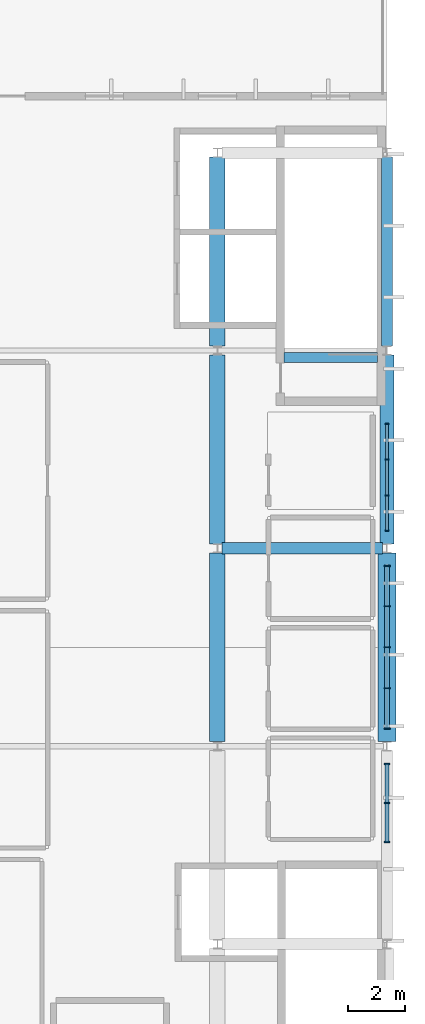
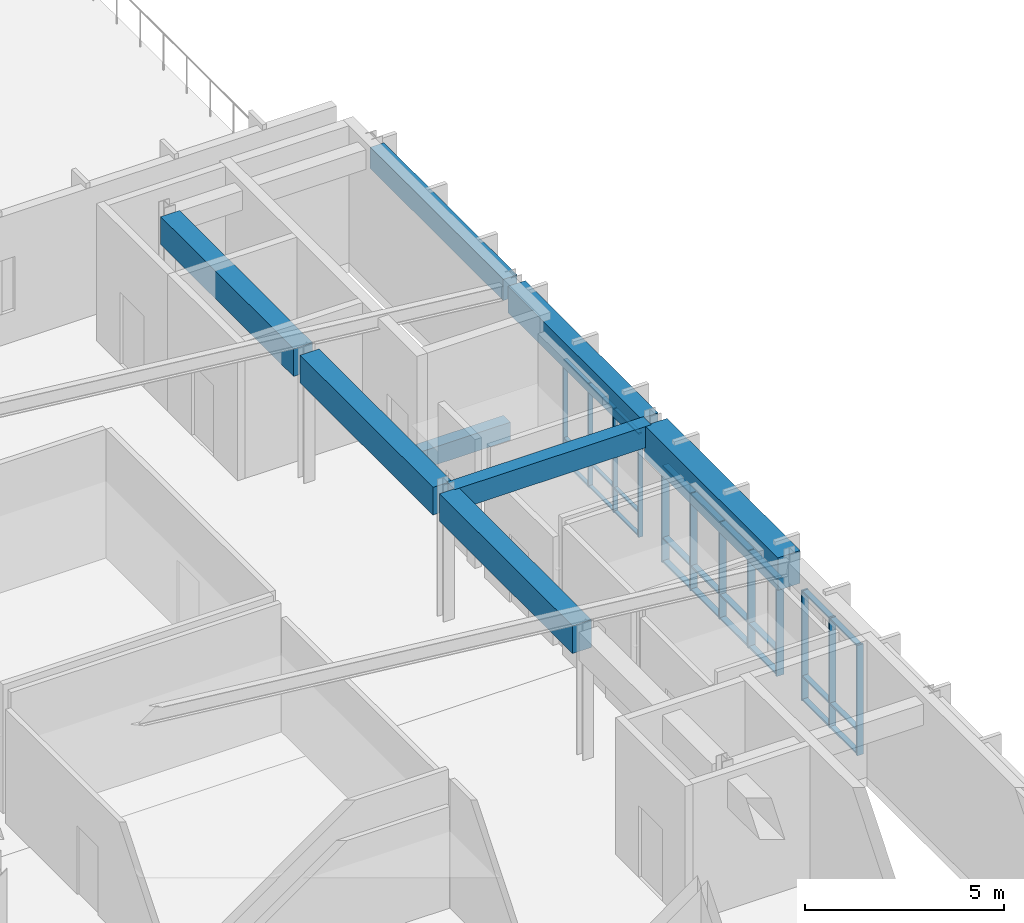
# One storey, part 9 of 16: 39 members, 8 beams, 3 elements without a shape of their own.
"""IFC4 building model written with IfcOpenShell, lengths in metres."""

import ifcopenshell
import ifcopenshell.guid

model = None  # the IFC model being written
_history = None  # IfcOwnerHistory: only IFC2X3 demands one
_inside = {}  # id of a spatial element -> (the spatial element, [elements in it])
_under = {}  # id of a project, library or spatial element -> (it, [spatial elements below it])
_declared = {}  # id of a project -> (the project, [libraries it declares])
_typed = {}  # id of a type object -> (the type object, [elements of that type])
_made_of = {}  # id of a material, layer set ... -> (it, [elements and type objects made of it])


def new_model(schema):
    """Start an empty IFC model of exactly this schema.

    Asked for "IFC4X3", IfcOpenShell would pick the latest addendum, in which some entities
    have other attributes; the version numbers below select the first issue.
    IFC2X3 requires an IfcOwnerHistory on every rooted entity: one is made here for all.
    """
    global model, _history
    if schema == "IFC4X3":
        model = ifcopenshell.file(schema_version=(4, 3, 0, 0))
    else:
        model = ifcopenshell.file(schema=schema)
    _inside.clear()
    _under.clear()
    _declared.clear()
    _typed.clear()
    _made_of.clear()
    _history = None
    if model.schema == "IFC2X3":
        org = make("IfcOrganization", Name="unknown")
        user = make(
            "IfcPersonAndOrganization",
            ThePerson=make("IfcPerson", FamilyName="unknown"),
            TheOrganization=org,
        )
        app = make(
            "IfcApplication",
            ApplicationDeveloper=org,
            Version="unknown",
            ApplicationFullName="unknown",
            ApplicationIdentifier="unknown",
        )
        _history = make(
            "IfcOwnerHistory",
            OwningUser=user,
            OwningApplication=app,
            ChangeAction="ADDED",
            CreationDate=0,
        )
    return model


def make(cls, **values):
    """One entity of the class cls with the attributes given. An attribute that is None is left unset."""
    return model.create_entity(
        cls, **{name: value for name, value in values.items() if value is not None}
    )


def rooted(cls, **values):
    """An entity with a GlobalId (a new one), such as an element, a storey or a relation."""
    return make(cls, GlobalId=ifcopenshell.guid.new(), OwnerHistory=_history, **values)


def si_unit(unit_type, name, prefix=None):
    """IfcSIUnit, for example si_unit("LENGTHUNIT", "METRE", prefix="MILLI")."""
    return make("IfcSIUnit", UnitType=unit_type, Prefix=prefix, Name=name)


def assignment(units):
    """IfcUnitAssignment: the units of a project."""
    return None if units is None else make("IfcUnitAssignment", Units=units)


def point(xyz):
    """IfcCartesianPoint."""
    return None if xyz is None else make("IfcCartesianPoint", Coordinates=xyz)


def direction(xyz):
    """IfcDirection."""
    return None if xyz is None else make("IfcDirection", DirectionRatios=xyz)


def frame(location, z_axis=None, x_axis=None):
    """IfcAxis2Placement3D, a coordinate frame: its origin and axes. An axis left out is left unset."""
    return make(
        "IfcAxis2Placement3D",
        Location=point(location),
        Axis=direction(z_axis),
        RefDirection=direction(x_axis),
    )


def frame_2d(location, x_axis=None):
    """IfcAxis2Placement2D, a coordinate frame in the plane: its origin and x axis."""
    return make(
        "IfcAxis2Placement2D", Location=point(location), RefDirection=direction(x_axis)
    )


def origin():
    """The frame at (0, 0, 0) with its axes left unset."""
    return frame((0.0, 0.0, 0.0))


def origin_2d():
    """The frame at (0, 0) in the plane with its x axis left unset."""
    return frame_2d((0.0, 0.0))


def place(relative_to, where):
    """IfcLocalPlacement: puts the frame where relative to a parent placement (None: the world)."""
    return make(
        "IfcLocalPlacement", PlacementRelTo=relative_to, RelativePlacement=where
    )


def context(
    kind, dimensions, precision=None, world=None, true_north=None, identifier=None
):
    """IfcGeometricRepresentationContext, for example the 3D "Model" context."""
    return make(
        "IfcGeometricRepresentationContext",
        ContextIdentifier=identifier,
        ContextType=kind,
        CoordinateSpaceDimension=dimensions,
        Precision=precision,
        WorldCoordinateSystem=world,
        TrueNorth=true_north,
    )


def subcontext(parent, identifier, kind, view, scale=None):
    """IfcGeometricRepresentationSubContext, for example "Body" below "Model"."""
    return make(
        "IfcGeometricRepresentationSubContext",
        ContextIdentifier=identifier,
        ContextType=kind,
        ParentContext=parent,
        TargetScale=scale,
        TargetView=view,
    )


def project(units=None, contexts=None):
    """IfcProject with its units and contexts."""
    return rooted(
        "IfcProject",
        Name="project",
        RepresentationContexts=contexts,
        UnitsInContext=assignment(units),
    )


def spatial(cls, under=None, at=None, **own):
    """A site, building, storey or space (cls), placed at a placement, below another one or the project."""
    s = rooted(cls, ObjectPlacement=at, **own)
    if under is not None:
        _under.setdefault(under.id(), (under, []))[1].append(s)
    return s


def profile(cls, at=None, kind="AREA", **sizes):
    """A parametric profile (cls). Its sizes go by their IFC names, for example OverallWidth=200.0."""
    return make(cls, ProfileType=kind, Position=at, **sizes)


def rectangle(**sizes):
    """IfcRectangleProfileDef."""
    return profile("IfcRectangleProfileDef", **sizes)


def extrude(swept, where, along, depth):
    """IfcExtrudedAreaSolid: the profile swept, set in the frame where, extruded along a direction by depth."""
    return make(
        "IfcExtrudedAreaSolid",
        SweptArea=swept,
        Position=where,
        ExtrudedDirection=direction(along),
        Depth=depth,
    )


def shape(context_of_items, identifier, shape_type, items):
    """IfcShapeRepresentation: the items that make up one representation, for example the "Body"."""
    return make(
        "IfcShapeRepresentation",
        ContextOfItems=context_of_items,
        RepresentationIdentifier=identifier,
        RepresentationType=shape_type,
        Items=items,
    )


def material(Name=None, Category=None):
    """IfcMaterial."""
    return make("IfcMaterial", Name=Name, Category=Category)


def material_profile(
    of_material, cross_section, Name=None, Category=None, Priority=None
):
    """IfcMaterialProfile: a cross section and its material."""
    return make(
        "IfcMaterialProfile",
        Name=Name,
        Material=of_material,
        Profile=cross_section,
        Priority=Priority,
        Category=Category,
    )


def profile_set(profiles, Name=None, composite=None):
    """IfcMaterialProfileSet."""
    return make(
        "IfcMaterialProfileSet",
        Name=Name,
        MaterialProfiles=profiles,
        CompositeProfile=composite,
    )


def made_of(thing, what):
    """Note that an element or type object is made of a material, layer set ...; save() writes the relation."""
    if what is not None:
        _made_of.setdefault(what.id(), (what, []))[1].append(thing)
    return thing


def type_object(cls, material=None, **own):
    """A type object (cls), such as IfcWallType, which elements share."""
    return made_of(rooted(cls, **own), material)


def element(
    cls,
    number,
    at=None,
    inside=None,
    cuts=None,
    type_object=None,
    material=None,
    context=None,
    identifier="Body",
    shape_type=None,
    held_by="IfcProductDefinitionShape",
    body=None,
    shapes=None,
    **own,
):
    """One element of the class cls, such as IfcWall. Its Tag is "e" and its number.

    at: its placement. inside: the storey or other place that contains it. cuts: it is an
    opening in that element (IfcRelVoidsElement). A single representation is given by context,
    identifier, shape_type and body (its items); several are given by shapes. held_by: the class
    of the entity that holds the representations. save() writes the other relations.
    """
    e = rooted(cls, Tag="e%d" % number, ObjectPlacement=at, **own)
    if body is not None:
        shapes = [shape(context, identifier, shape_type, body)]
    if shapes is not None:
        e.Representation = make(held_by, Representations=shapes)
    if inside is not None:
        _inside.setdefault(inside.id(), (inside, []))[1].append(e)
    if cuts is not None:
        rooted(
            "IfcRelVoidsElement", RelatingBuildingElement=cuts, RelatedOpeningElement=e
        )
    if type_object is not None:
        _typed.setdefault(type_object.id(), (type_object, []))[1].append(e)
    return made_of(e, material)


def aggregate(whole, parts):
    """IfcRelAggregates: a whole, such as a stair, and the parts it consists of."""
    return rooted("IfcRelAggregates", RelatingObject=whole, RelatedObjects=parts)


def save(model, path):
    """Write the relations noted so far, then the file.

    IfcRelAggregates (storeys below a building ...), IfcRelContainedInSpatialStructure (elements
    in a storey), IfcRelDefinesByType, IfcRelAssociatesMaterial and IfcRelDeclares: one each for
    every whole, place, type object, material and project.
    """
    for whole, parts in _under.values():
        aggregate(whole, parts)
    for where, things in _inside.values():
        rooted(
            "IfcRelContainedInSpatialStructure",
            RelatedElements=things,
            RelatingStructure=where,
        )
    for kind, things in _typed.values():
        rooted("IfcRelDefinesByType", RelatedObjects=things, RelatingType=kind)
    for what, things in _made_of.values():
        rooted("IfcRelAssociatesMaterial", RelatedObjects=things, RelatingMaterial=what)
    for by, libraries in _declared.values():
        rooted("IfcRelDeclares", RelatingContext=by, RelatedDefinitions=libraries)
    model.write(path)


model = new_model("IFC4")

# Units and contexts
model_context = context("Model", 3, precision=1e-05, world=origin(), true_north=direction((0.0, 1.0)))
body_context = subcontext(model_context, "Body", "Model", "MODEL_VIEW")
ifc_project = project(units=[si_unit("LENGTHUNIT", "METRE"), si_unit("AREAUNIT", "SQUARE_METRE"), si_unit("VOLUMEUNIT", "CUBIC_METRE"), si_unit("PLANEANGLEUNIT", "RADIAN"), si_unit("MASSUNIT", "GRAM", prefix="KILO")], contexts=[model_context])

# Site, building, storey
site_placement = place(None, origin())
site = spatial("IfcSite", under=ifc_project, at=site_placement, CompositionType="ELEMENT")
building_placement = place(site_placement, origin())
building = spatial("IfcBuilding", under=site, at=building_placement, Name="Larkveld Mobility Hub", CompositionType="ELEMENT")
storey_placement = place(building_placement, frame((0.0, 0.0, 22.800048828125)))
storey = spatial("IfcBuildingStorey", under=building, at=storey_placement, Name="L06", CompositionType="ELEMENT", Elevation=22.800048828125)

# Beams
ifc_material_1 = material(Name="Concrete C40/50", Category="concrete")
ifc_material_profile_1 = material_profile(ifc_material_1, rectangle(XDim=0.35009765625, YDim=0.550048828125, at=origin_2d()), Name="RC BM 350x550")
ifc_profile_set_1 = profile_set([ifc_material_profile_1], Name="Concrete C40/50")
beam_type_1 = type_object("IfcBeamType", Name="BM-RC3555", PredefinedType="BEAM", material=ifc_profile_set_1)
beam_1_placement = place(storey_placement, frame((148.360107421875, 55.75, -0.27001953125), z_axis=(1.0, 0.0, 0.0), x_axis=(0.0, 1.0, 0.0)))
element("IfcBeam", 1, at=beam_1_placement, inside=storey, type_object=beam_type_1, Name="Core C2 Stair Header Beam L06", PredefinedType="BEAM", context=body_context, shape_type="SweptSolid", body=[
    extrude(rectangle(XDim=0.35009765625, YDim=0.550048828125, at=origin_2d()), origin(), (0.0, 0.0, 1.0), 3.309814453125),
])
ifc_material_profile_2 = material_profile(ifc_material_1, rectangle(XDim=0.39990234375, YDim=0.64990234375, at=origin_2d()), Name="RC BM 400x650")
ifc_profile_set_2 = profile_set([ifc_material_profile_2], Name="Concrete C40/50")
beam_type_2 = type_object("IfcBeamType", Name="BM-RC4065", PredefinedType="BEAM", material=ifc_profile_set_2)
beam_2_placement = place(storey_placement, frame((146.155029296875, 49.0, 3.655029296875), z_axis=(1.0, 0.0, 0.0), x_axis=(0.0, 1.0, 0.0)))
element("IfcBeam", 2, at=beam_2_placement, inside=storey, type_object=beam_type_2, Name="Primary E-W Girder L06-0994", PredefinedType="BEAM", context=body_context, shape_type="SweptSolid", body=[
    extrude(rectangle(XDim=0.39990234375, YDim=0.64990234375, at=origin_2d()), origin(), (0.0, 0.0, 1.0), 5.68994140625),
])
beam_3_placement = place(storey_placement, frame((152.0, 56.159912109375, 3.655029296875), z_axis=(0.0, 1.0, 0.0), x_axis=(-1.0, 0.0, 0.0)))
element("IfcBeam", 3, at=beam_3_placement, inside=storey, type_object=beam_type_2, Name="Primary N-S Girder L06-1015", PredefinedType="BEAM", context=body_context, shape_type="SweptSolid", body=[
    extrude(rectangle(XDim=0.39990234375, YDim=0.64990234375, at=origin_2d()), origin(), (0.0, 0.0, 1.0), 6.68017578125),
])
ifc_material_profile_3 = material_profile(ifc_material_1, rectangle(XDim=0.5, YDim=0.800048828125, at=origin_2d()), Name="RC BM 500x800")
ifc_profile_set_3 = profile_set([ifc_material_profile_3], Name="Concrete C40/50")
beam_type_3 = type_object("IfcBeamType", Name="BM-RC5080", PredefinedType="BEAM", material=ifc_profile_set_3)
beam_4_placement = place(storey_placement, frame((152.0, 49.159912109375, 3.579833984375), z_axis=(0.0, 1.0, 0.0), x_axis=(-1.0, 0.0, 0.0)))
element("IfcBeam", 4, at=beam_4_placement, inside=storey, type_object=beam_type_3, Name="Primary N-S Girder L06-1014", PredefinedType="BEAM", context=body_context, shape_type="SweptSolid", body=[
    extrude(rectangle(XDim=0.5, YDim=0.800048828125, at=origin_2d()), origin(), (0.0, 0.0, 1.0), 6.68017578125),
])
ifc_material_profile_4 = material_profile(ifc_material_1, rectangle(XDim=0.550048828125, YDim=0.85009765625, at=origin_2d()), Name="RC BM 550x850")
ifc_profile_set_4 = profile_set([ifc_material_profile_4], Name="Concrete C40/50")
beam_type_4 = type_object("IfcBeamType", Name="BM-RC5585", PredefinedType="BEAM", material=ifc_profile_set_4)
for number, where, z_axis, x_axis, name in (
    (5, (146.0, 42.159912109375, 3.554931640625), (0.0, 1.0, 0.0), (-1.0, 0.0, 0.0), "Primary N-S Girder L06-1008"),
    (6, (146.0, 49.159912109375, 3.554931640625), (0.0, 1.0, 0.0), (-1.0, 0.0, 0.0), "Primary N-S Girder L06-1009"),
    (7, (146.0, 56.159912109375, 3.554931640625), (0.0, 1.0, 0.0), (-1.0, 0.0, 0.0), "Primary N-S Girder L06-1010"),
):
    element("IfcBeam", number, at=place(storey_placement, frame(where, z_axis=z_axis, x_axis=x_axis)), inside=storey, type_object=beam_type_4, Name=name, PredefinedType="BEAM", context=body_context, shape_type="SweptSolid", body=[
        extrude(rectangle(XDim=0.550048828125, YDim=0.85009765625, at=origin_2d()), origin(), (0.0, 0.0, 1.0), 6.68017578125),
    ])
ifc_material_profile_5 = material_profile(ifc_material_1, rectangle(XDim=0.64990234375, YDim=1.0, at=origin_2d()), Name="RC BM 650x1000")
ifc_profile_set_5 = profile_set([ifc_material_profile_5], Name="Concrete C40/50")
beam_type_5 = type_object("IfcBeamType", Name="BM-RC65100", PredefinedType="BEAM", material=ifc_profile_set_5)
beam_5_placement = place(storey_placement, frame((152.0, 42.159912109375, 3.47998046875), z_axis=(0.0, 1.0, 0.0), x_axis=(-1.0, 0.0, 0.0)))
element("IfcBeam", 8, at=beam_5_placement, inside=storey, type_object=beam_type_5, Name="Primary N-S Girder L06-1013", PredefinedType="BEAM", context=body_context, shape_type="SweptSolid", body=[
    extrude(rectangle(XDim=0.64990234375, YDim=1.0, at=origin_2d()), origin(), (0.0, 0.0, 1.0), 6.68017578125),
])

# Curtain wall, members
ifc_material_2 = material(Name="Anodised aluminium 6063-T6", Category="aluminium")
curtain_wall_type_1 = type_object("IfcCurtainWallType", Name="CW-SYS-06", PredefinedType="NOTDEFINED", material=ifc_material_2)
curtain_wall_1_placement = place(storey_placement, origin())
curtain_wall_1 = element("IfcCurtainWall", 9, at=curtain_wall_1_placement, inside=storey, type_object=curtain_wall_type_1, Name="Upper Mobility and Sports East Glazing L06 CW-174", PredefinedType="NOTDEFINED")
ifc_material_profile_6 = material_profile(ifc_material_2, rectangle(XDim=0.050048828125, YDim=0.179931640625, at=origin_2d()), Name="ALU MULL 50x180")
ifc_profile_set_6 = profile_set([ifc_material_profile_6], Name="Anodised aluminium 6063-T6")
member_type_1 = type_object("IfcMemberType", Name="CW-MUL-02", PredefinedType="MULLION", material=ifc_profile_set_6)
member_1_placement = place(storey_placement, frame((152.0, 38.60498046875, -0.001953125), z_axis=(0.0, 0.0, 1.0), x_axis=(0.0, 1.0, 0.0)))
member_1 = element("IfcMember", 10, at=member_1_placement, type_object=member_type_1, Name="CW06 mullion 1", PredefinedType="MULLION", context=body_context, shape_type="SweptSolid", body=[
    extrude(rectangle(XDim=0.050048828125, YDim=0.179931640625, at=origin_2d()), origin(), (0.0, 0.0, 1.0), 3.3818359375),
])
member_2_placement = place(storey_placement, frame((152.0, 39.989990234375, -0.001953125), z_axis=(0.0, 0.0, 1.0), x_axis=(0.0, 1.0, 0.0)))
member_2 = element("IfcMember", 11, at=member_2_placement, type_object=member_type_1, Name="CW06 mullion 2", PredefinedType="MULLION", context=body_context, shape_type="SweptSolid", body=[
    extrude(rectangle(XDim=0.050048828125, YDim=0.179931640625, at=origin_2d()), origin(), (0.0, 0.0, 1.0), 3.3818359375),
])
member_3_placement = place(storey_placement, frame((152.0, 41.375, -0.001953125), z_axis=(0.0, 0.0, 1.0), x_axis=(0.0, 1.0, 0.0)))
member_3 = element("IfcMember", 12, at=member_3_placement, type_object=member_type_1, Name="CW06 mullion 3", PredefinedType="MULLION", context=body_context, shape_type="SweptSolid", body=[
    extrude(rectangle(XDim=0.050048828125, YDim=0.179931640625, at=origin_2d()), origin(), (0.0, 0.0, 1.0), 3.3818359375),
])

curtain_wall_type_2 = type_object("IfcCurtainWallType", Name="CW-SYS-07", PredefinedType="NOTDEFINED", material=ifc_material_2)
curtain_wall_2_placement = place(storey_placement, origin())
curtain_wall_2 = element("IfcCurtainWall", 13, at=curtain_wall_2_placement, inside=storey, type_object=curtain_wall_type_2, Name="Upper Mobility and Sports East Glazing L06 CW-175", PredefinedType="NOTDEFINED")
ifc_material_profile_7 = material_profile(ifc_material_2, rectangle(XDim=0.050048828125, YDim=0.2099609375, at=origin_2d()), Name="ALU MULL 50x210")
ifc_profile_set_7 = profile_set([ifc_material_profile_7], Name="Anodised aluminium 6063-T6")
member_type_2 = type_object("IfcMemberType", Name="CW-MUL-03", PredefinedType="MULLION", material=ifc_profile_set_7)
member_4_placement = place(storey_placement, frame((152.0, 42.625, -0.001953125), z_axis=(0.0, 0.0, 1.0), x_axis=(0.0, 1.0, 0.0)))
member_4 = element("IfcMember", 14, at=member_4_placement, type_object=member_type_2, Name="CW07 mullion 1", PredefinedType="MULLION", context=body_context, shape_type="SweptSolid", body=[
    extrude(rectangle(XDim=0.050048828125, YDim=0.2099609375, at=origin_2d()), origin(), (0.0, 0.0, 1.0), 2.98193359375),
])
member_5_placement = place(storey_placement, frame((152.0, 44.050048828125, -0.001953125), z_axis=(0.0, 0.0, 1.0), x_axis=(0.0, 1.0, 0.0)))
member_5 = element("IfcMember", 15, at=member_5_placement, type_object=member_type_2, Name="CW07 mullion 2", PredefinedType="MULLION", context=body_context, shape_type="SweptSolid", body=[
    extrude(rectangle(XDim=0.050048828125, YDim=0.2099609375, at=origin_2d()), origin(), (0.0, 0.0, 1.0), 2.98193359375),
])
member_6_placement = place(storey_placement, frame((152.0, 45.5, -0.001953125), z_axis=(0.0, 0.0, 1.0), x_axis=(0.0, 1.0, 0.0)))
member_6 = element("IfcMember", 16, at=member_6_placement, type_object=member_type_2, Name="CW07 mullion 3", PredefinedType="MULLION", context=body_context, shape_type="SweptSolid", body=[
    extrude(rectangle(XDim=0.050048828125, YDim=0.2099609375, at=origin_2d()), origin(), (0.0, 0.0, 1.0), 2.98193359375),
])
member_7_placement = place(storey_placement, frame((152.0, 46.949951171875, -0.001953125), z_axis=(0.0, 0.0, 1.0), x_axis=(0.0, 1.0, 0.0)))
member_7 = element("IfcMember", 17, at=member_7_placement, type_object=member_type_2, Name="CW07 mullion 4", PredefinedType="MULLION", context=body_context, shape_type="SweptSolid", body=[
    extrude(rectangle(XDim=0.050048828125, YDim=0.2099609375, at=origin_2d()), origin(), (0.0, 0.0, 1.0), 2.98193359375),
])
member_8_placement = place(storey_placement, frame((152.0, 48.375, -0.001953125), z_axis=(0.0, 0.0, 1.0), x_axis=(0.0, 1.0, 0.0)))
member_8 = element("IfcMember", 18, at=member_8_placement, type_object=member_type_2, Name="CW07 mullion 5", PredefinedType="MULLION", context=body_context, shape_type="SweptSolid", body=[
    extrude(rectangle(XDim=0.050048828125, YDim=0.2099609375, at=origin_2d()), origin(), (0.0, 0.0, 1.0), 2.98193359375),
])

curtain_wall_type_3 = type_object("IfcCurtainWallType", Name="CW-SYS-08", PredefinedType="NOTDEFINED", material=ifc_material_2)
curtain_wall_3_placement = place(storey_placement, origin())
curtain_wall_3 = element("IfcCurtainWall", 19, at=curtain_wall_3_placement, inside=storey, type_object=curtain_wall_type_3, Name="Upper Mobility and Sports East Glazing L06 CW-176", PredefinedType="NOTDEFINED")
ifc_material_profile_8 = material_profile(ifc_material_2, rectangle(XDim=0.050048828125, YDim=0.1298828125, at=origin_2d()), Name="ALU MULL 50x130")
ifc_profile_set_8 = profile_set([ifc_material_profile_8], Name="Anodised aluminium 6063-T6")
member_type_3 = type_object("IfcMemberType", Name="CW-MUL-04", PredefinedType="MULLION", material=ifc_profile_set_8)
member_9_placement = place(storey_placement, frame((152.0, 49.625, -0.001953125), z_axis=(0.0, 0.0, 1.0), x_axis=(0.0, 1.0, 0.0)))
member_9 = element("IfcMember", 20, at=member_9_placement, type_object=member_type_3, Name="CW08 mullion 1", PredefinedType="MULLION", context=body_context, shape_type="SweptSolid", body=[
    extrude(rectangle(XDim=0.050048828125, YDim=0.1298828125, at=origin_2d()), origin(), (0.0, 0.0, 1.0), 3.181884765625),
])
member_10_placement = place(storey_placement, frame((152.0, 50.873046875, -0.001953125), z_axis=(0.0, 0.0, 1.0), x_axis=(0.0, 1.0, 0.0)))
member_10 = element("IfcMember", 21, at=member_10_placement, type_object=member_type_3, Name="CW08 mullion 2", PredefinedType="MULLION", context=body_context, shape_type="SweptSolid", body=[
    extrude(rectangle(XDim=0.050048828125, YDim=0.1298828125, at=origin_2d()), origin(), (0.0, 0.0, 1.0), 3.181884765625),
])
member_11_placement = place(storey_placement, frame((152.0, 52.14697265625, -0.001953125), z_axis=(0.0, 0.0, 1.0), x_axis=(0.0, 1.0, 0.0)))
member_11 = element("IfcMember", 22, at=member_11_placement, type_object=member_type_3, Name="CW08 mullion 3", PredefinedType="MULLION", context=body_context, shape_type="SweptSolid", body=[
    extrude(rectangle(XDim=0.050048828125, YDim=0.1298828125, at=origin_2d()), origin(), (0.0, 0.0, 1.0), 3.181884765625),
])
member_12_placement = place(storey_placement, frame((152.0, 53.39501953125, -0.001953125), z_axis=(0.0, 0.0, 1.0), x_axis=(0.0, 1.0, 0.0)))
member_12 = element("IfcMember", 23, at=member_12_placement, type_object=member_type_3, Name="CW08 mullion 4", PredefinedType="MULLION", context=body_context, shape_type="SweptSolid", body=[
    extrude(rectangle(XDim=0.050048828125, YDim=0.1298828125, at=origin_2d()), origin(), (0.0, 0.0, 1.0), 3.181884765625),
])

# Member
ifc_material_profile_9 = material_profile(ifc_material_2, rectangle(XDim=0.14990234375, YDim=0.050048828125, at=origin_2d()), Name="ALU TRAN 50x150")
ifc_profile_set_9 = profile_set([ifc_material_profile_9], Name="Anodised aluminium 6063-T6")
member_type_4 = type_object("IfcMemberType", Name="CW-TRN-02", PredefinedType="USERDEFINED", material=ifc_profile_set_9)
member_13_placement = place(storey_placement, frame((152.0, 38.614990234375, 0.030029296875), z_axis=(0.0, 1.0, 0.0), x_axis=(-1.0, 0.0, 0.0)))
member_13 = element("IfcMember", 24, at=member_13_placement, type_object=member_type_4, Name="CW06 transom 1.1", ObjectType="TRANSOM", PredefinedType="USERDEFINED", context=body_context, shape_type="SweptSolid", body=[
    extrude(rectangle(XDim=0.14990234375, YDim=0.050048828125, at=origin_2d()), origin(), (0.0, 0.0, 1.0), 1.360107421875),
])

member_14_placement = place(storey_placement, frame((152.0, 38.614990234375, 0.75), z_axis=(0.0, 1.0, 0.0), x_axis=(-1.0, 0.0, 0.0)))
member_14 = element("IfcMember", 25, at=member_14_placement, type_object=member_type_4, Name="CW06 transom 1.2", ObjectType="TRANSOM", PredefinedType="USERDEFINED", context=body_context, shape_type="SweptSolid", body=[
    extrude(rectangle(XDim=0.14990234375, YDim=0.050048828125, at=origin_2d()), origin(), (0.0, 0.0, 1.0), 1.360107421875),
])

member_15_placement = place(storey_placement, frame((152.0, 38.614990234375, 3.347900390625), z_axis=(0.0, 1.0, 0.0), x_axis=(-1.0, 0.0, 0.0)))
member_15 = element("IfcMember", 26, at=member_15_placement, type_object=member_type_4, Name="CW06 transom 1.3", ObjectType="TRANSOM", PredefinedType="USERDEFINED", context=body_context, shape_type="SweptSolid", body=[
    extrude(rectangle(XDim=0.14990234375, YDim=0.050048828125, at=origin_2d()), origin(), (0.0, 0.0, 1.0), 1.360107421875),
])

member_16_placement = place(storey_placement, frame((152.0, 40.0048828125, 0.030029296875), z_axis=(0.0, 1.0, 0.0), x_axis=(-1.0, 0.0, 0.0)))
member_16 = element("IfcMember", 27, at=member_16_placement, type_object=member_type_4, Name="CW06 transom 2.1", ObjectType="TRANSOM", PredefinedType="USERDEFINED", context=body_context, shape_type="SweptSolid", body=[
    extrude(rectangle(XDim=0.14990234375, YDim=0.050048828125, at=origin_2d()), origin(), (0.0, 0.0, 1.0), 1.360107421875),
])

member_17_placement = place(storey_placement, frame((152.0, 40.0048828125, 0.75), z_axis=(0.0, 1.0, 0.0), x_axis=(-1.0, 0.0, 0.0)))
member_17 = element("IfcMember", 28, at=member_17_placement, type_object=member_type_4, Name="CW06 transom 2.2", ObjectType="TRANSOM", PredefinedType="USERDEFINED", context=body_context, shape_type="SweptSolid", body=[
    extrude(rectangle(XDim=0.14990234375, YDim=0.050048828125, at=origin_2d()), origin(), (0.0, 0.0, 1.0), 1.360107421875),
])

member_18_placement = place(storey_placement, frame((152.0, 40.0048828125, 3.347900390625), z_axis=(0.0, 1.0, 0.0), x_axis=(-1.0, 0.0, 0.0)))
member_18 = element("IfcMember", 29, at=member_18_placement, type_object=member_type_4, Name="CW06 transom 2.3", ObjectType="TRANSOM", PredefinedType="USERDEFINED", context=body_context, shape_type="SweptSolid", body=[
    extrude(rectangle(XDim=0.14990234375, YDim=0.050048828125, at=origin_2d()), origin(), (0.0, 0.0, 1.0), 1.360107421875),
])

aggregate(curtain_wall_1, [member_1, member_2, member_3, member_13, member_14, member_15, member_16, member_17, member_18])

ifc_material_profile_10 = material_profile(ifc_material_2, rectangle(XDim=0.169921875, YDim=0.050048828125, at=origin_2d()), Name="ALU TRAN 50x170")
ifc_profile_set_10 = profile_set([ifc_material_profile_10], Name="Anodised aluminium 6063-T6")
member_type_5 = type_object("IfcMemberType", Name="CW-TRN-03", PredefinedType="USERDEFINED", material=ifc_profile_set_10)
member_19_placement = place(storey_placement, frame((152.0, 42.635009765625, 0.030029296875), z_axis=(0.0, 1.0, 0.0), x_axis=(-1.0, 0.0, 0.0)))
member_19 = element("IfcMember", 30, at=member_19_placement, type_object=member_type_5, Name="CW07 transom 1.1", ObjectType="TRANSOM", PredefinedType="USERDEFINED", context=body_context, shape_type="SweptSolid", body=[
    extrude(rectangle(XDim=0.169921875, YDim=0.050048828125, at=origin_2d()), origin(), (0.0, 0.0, 1.0), 1.39990234375),
])

member_20_placement = place(storey_placement, frame((152.0, 42.635009765625, 0.743896484375), z_axis=(0.0, 1.0, 0.0), x_axis=(-1.0, 0.0, 0.0)))
member_20 = element("IfcMember", 31, at=member_20_placement, type_object=member_type_5, Name="CW07 transom 1.2", ObjectType="TRANSOM", PredefinedType="USERDEFINED", context=body_context, shape_type="SweptSolid", body=[
    extrude(rectangle(XDim=0.169921875, YDim=0.050048828125, at=origin_2d()), origin(), (0.0, 0.0, 1.0), 1.39990234375),
])

member_21_placement = place(storey_placement, frame((152.0, 42.635009765625, 2.947998046875), z_axis=(0.0, 1.0, 0.0), x_axis=(-1.0, 0.0, 0.0)))
member_21 = element("IfcMember", 32, at=member_21_placement, type_object=member_type_5, Name="CW07 transom 1.3", ObjectType="TRANSOM", PredefinedType="USERDEFINED", context=body_context, shape_type="SweptSolid", body=[
    extrude(rectangle(XDim=0.169921875, YDim=0.050048828125, at=origin_2d()), origin(), (0.0, 0.0, 1.0), 1.39990234375),
])

member_22_placement = place(storey_placement, frame((152.0, 44.06494140625, 0.030029296875), z_axis=(0.0, 1.0, 0.0), x_axis=(-1.0, 0.0, 0.0)))
member_22 = element("IfcMember", 33, at=member_22_placement, type_object=member_type_5, Name="CW07 transom 2.1", ObjectType="TRANSOM", PredefinedType="USERDEFINED", context=body_context, shape_type="SweptSolid", body=[
    extrude(rectangle(XDim=0.169921875, YDim=0.050048828125, at=origin_2d()), origin(), (0.0, 0.0, 1.0), 1.420166015625),
])

member_23_placement = place(storey_placement, frame((152.0, 44.06494140625, 0.743896484375), z_axis=(0.0, 1.0, 0.0), x_axis=(-1.0, 0.0, 0.0)))
member_23 = element("IfcMember", 34, at=member_23_placement, type_object=member_type_5, Name="CW07 transom 2.2", ObjectType="TRANSOM", PredefinedType="USERDEFINED", context=body_context, shape_type="SweptSolid", body=[
    extrude(rectangle(XDim=0.169921875, YDim=0.050048828125, at=origin_2d()), origin(), (0.0, 0.0, 1.0), 1.420166015625),
])

member_24_placement = place(storey_placement, frame((152.0, 44.06494140625, 2.947998046875), z_axis=(0.0, 1.0, 0.0), x_axis=(-1.0, 0.0, 0.0)))
member_24 = element("IfcMember", 35, at=member_24_placement, type_object=member_type_5, Name="CW07 transom 2.3", ObjectType="TRANSOM", PredefinedType="USERDEFINED", context=body_context, shape_type="SweptSolid", body=[
    extrude(rectangle(XDim=0.169921875, YDim=0.050048828125, at=origin_2d()), origin(), (0.0, 0.0, 1.0), 1.420166015625),
])

member_25_placement = place(storey_placement, frame((152.0, 45.514892578125, 0.030029296875), z_axis=(0.0, 1.0, 0.0), x_axis=(-1.0, 0.0, 0.0)))
member_25 = element("IfcMember", 36, at=member_25_placement, type_object=member_type_5, Name="CW07 transom 3.1", ObjectType="TRANSOM", PredefinedType="USERDEFINED", context=body_context, shape_type="SweptSolid", body=[
    extrude(rectangle(XDim=0.169921875, YDim=0.050048828125, at=origin_2d()), origin(), (0.0, 0.0, 1.0), 1.420166015625),
])

member_26_placement = place(storey_placement, frame((152.0, 45.514892578125, 0.743896484375), z_axis=(0.0, 1.0, 0.0), x_axis=(-1.0, 0.0, 0.0)))
member_26 = element("IfcMember", 37, at=member_26_placement, type_object=member_type_5, Name="CW07 transom 3.2", ObjectType="TRANSOM", PredefinedType="USERDEFINED", context=body_context, shape_type="SweptSolid", body=[
    extrude(rectangle(XDim=0.169921875, YDim=0.050048828125, at=origin_2d()), origin(), (0.0, 0.0, 1.0), 1.420166015625),
])

member_27_placement = place(storey_placement, frame((152.0, 45.514892578125, 2.947998046875), z_axis=(0.0, 1.0, 0.0), x_axis=(-1.0, 0.0, 0.0)))
member_27 = element("IfcMember", 38, at=member_27_placement, type_object=member_type_5, Name="CW07 transom 3.3", ObjectType="TRANSOM", PredefinedType="USERDEFINED", context=body_context, shape_type="SweptSolid", body=[
    extrude(rectangle(XDim=0.169921875, YDim=0.050048828125, at=origin_2d()), origin(), (0.0, 0.0, 1.0), 1.420166015625),
])

member_28_placement = place(storey_placement, frame((152.0, 46.965087890625, 0.030029296875), z_axis=(0.0, 1.0, 0.0), x_axis=(-1.0, 0.0, 0.0)))
member_28 = element("IfcMember", 39, at=member_28_placement, type_object=member_type_5, Name="CW07 transom 4.1", ObjectType="TRANSOM", PredefinedType="USERDEFINED", context=body_context, shape_type="SweptSolid", body=[
    extrude(rectangle(XDim=0.169921875, YDim=0.050048828125, at=origin_2d()), origin(), (0.0, 0.0, 1.0), 1.39990234375),
])

member_29_placement = place(storey_placement, frame((152.0, 46.965087890625, 0.743896484375), z_axis=(0.0, 1.0, 0.0), x_axis=(-1.0, 0.0, 0.0)))
member_29 = element("IfcMember", 40, at=member_29_placement, type_object=member_type_5, Name="CW07 transom 4.2", ObjectType="TRANSOM", PredefinedType="USERDEFINED", context=body_context, shape_type="SweptSolid", body=[
    extrude(rectangle(XDim=0.169921875, YDim=0.050048828125, at=origin_2d()), origin(), (0.0, 0.0, 1.0), 1.39990234375),
])

member_30_placement = place(storey_placement, frame((152.0, 46.965087890625, 2.947998046875), z_axis=(0.0, 1.0, 0.0), x_axis=(-1.0, 0.0, 0.0)))
member_30 = element("IfcMember", 41, at=member_30_placement, type_object=member_type_5, Name="CW07 transom 4.3", ObjectType="TRANSOM", PredefinedType="USERDEFINED", context=body_context, shape_type="SweptSolid", body=[
    extrude(rectangle(XDim=0.169921875, YDim=0.050048828125, at=origin_2d()), origin(), (0.0, 0.0, 1.0), 1.39990234375),
])

aggregate(curtain_wall_2, [member_4, member_5, member_6, member_7, member_8, member_19, member_20, member_21, member_22, member_23, member_24, member_25, member_26, member_27, member_28, member_29, member_30])

ifc_material_profile_11 = material_profile(ifc_material_2, rectangle(XDim=0.10009765625, YDim=0.050048828125, at=origin_2d()), Name="ALU TRAN 50x100")
ifc_profile_set_11 = profile_set([ifc_material_profile_11], Name="Anodised aluminium 6063-T6")
member_type_6 = type_object("IfcMemberType", Name="CW-TRN-04", PredefinedType="USERDEFINED", material=ifc_profile_set_11)
member_31_placement = place(storey_placement, frame((152.0, 49.635009765625, 0.030029296875), z_axis=(0.0, 1.0, 0.0), x_axis=(-1.0, 0.0, 0.0)))
member_31 = element("IfcMember", 42, at=member_31_placement, type_object=member_type_6, Name="CW08 transom 1.1", ObjectType="TRANSOM", PredefinedType="USERDEFINED", context=body_context, shape_type="SweptSolid", body=[
    extrude(rectangle(XDim=0.10009765625, YDim=0.050048828125, at=origin_2d()), origin(), (0.0, 0.0, 1.0), 1.222900390625),
])

member_32_placement = place(storey_placement, frame((152.0, 49.635009765625, 0.75), z_axis=(0.0, 1.0, 0.0), x_axis=(-1.0, 0.0, 0.0)))
member_32 = element("IfcMember", 43, at=member_32_placement, type_object=member_type_6, Name="CW08 transom 1.2", ObjectType="TRANSOM", PredefinedType="USERDEFINED", context=body_context, shape_type="SweptSolid", body=[
    extrude(rectangle(XDim=0.10009765625, YDim=0.050048828125, at=origin_2d()), origin(), (0.0, 0.0, 1.0), 1.222900390625),
])

member_33_placement = place(storey_placement, frame((152.0, 49.635009765625, 3.14794921875), z_axis=(0.0, 1.0, 0.0), x_axis=(-1.0, 0.0, 0.0)))
member_33 = element("IfcMember", 44, at=member_33_placement, type_object=member_type_6, Name="CW08 transom 1.3", ObjectType="TRANSOM", PredefinedType="USERDEFINED", context=body_context, shape_type="SweptSolid", body=[
    extrude(rectangle(XDim=0.10009765625, YDim=0.050048828125, at=origin_2d()), origin(), (0.0, 0.0, 1.0), 1.222900390625),
])

member_34_placement = place(storey_placement, frame((152.0, 50.887939453125, 0.030029296875), z_axis=(0.0, 1.0, 0.0), x_axis=(-1.0, 0.0, 0.0)))
member_34 = element("IfcMember", 45, at=member_34_placement, type_object=member_type_6, Name="CW08 transom 2.1", ObjectType="TRANSOM", PredefinedType="USERDEFINED", context=body_context, shape_type="SweptSolid", body=[
    extrude(rectangle(XDim=0.10009765625, YDim=0.050048828125, at=origin_2d()), origin(), (0.0, 0.0, 1.0), 1.244140625),
])

member_35_placement = place(storey_placement, frame((152.0, 50.887939453125, 0.75), z_axis=(0.0, 1.0, 0.0), x_axis=(-1.0, 0.0, 0.0)))
member_35 = element("IfcMember", 46, at=member_35_placement, type_object=member_type_6, Name="CW08 transom 2.2", ObjectType="TRANSOM", PredefinedType="USERDEFINED", context=body_context, shape_type="SweptSolid", body=[
    extrude(rectangle(XDim=0.10009765625, YDim=0.050048828125, at=origin_2d()), origin(), (0.0, 0.0, 1.0), 1.244140625),
])

member_36_placement = place(storey_placement, frame((152.0, 50.887939453125, 3.14794921875), z_axis=(0.0, 1.0, 0.0), x_axis=(-1.0, 0.0, 0.0)))
member_36 = element("IfcMember", 47, at=member_36_placement, type_object=member_type_6, Name="CW08 transom 2.3", ObjectType="TRANSOM", PredefinedType="USERDEFINED", context=body_context, shape_type="SweptSolid", body=[
    extrude(rectangle(XDim=0.10009765625, YDim=0.050048828125, at=origin_2d()), origin(), (0.0, 0.0, 1.0), 1.244140625),
])

member_37_placement = place(storey_placement, frame((152.0, 52.162109375, 0.030029296875), z_axis=(0.0, 1.0, 0.0), x_axis=(-1.0, 0.0, 0.0)))
member_37 = element("IfcMember", 48, at=member_37_placement, type_object=member_type_6, Name="CW08 transom 3.1", ObjectType="TRANSOM", PredefinedType="USERDEFINED", context=body_context, shape_type="SweptSolid", body=[
    extrude(rectangle(XDim=0.10009765625, YDim=0.050048828125, at=origin_2d()), origin(), (0.0, 0.0, 1.0), 1.222900390625),
])

member_38_placement = place(storey_placement, frame((152.0, 52.162109375, 0.75), z_axis=(0.0, 1.0, 0.0), x_axis=(-1.0, 0.0, 0.0)))
member_38 = element("IfcMember", 49, at=member_38_placement, type_object=member_type_6, Name="CW08 transom 3.2", ObjectType="TRANSOM", PredefinedType="USERDEFINED", context=body_context, shape_type="SweptSolid", body=[
    extrude(rectangle(XDim=0.10009765625, YDim=0.050048828125, at=origin_2d()), origin(), (0.0, 0.0, 1.0), 1.222900390625),
])

member_39_placement = place(storey_placement, frame((152.0, 52.162109375, 3.14794921875), z_axis=(0.0, 1.0, 0.0), x_axis=(-1.0, 0.0, 0.0)))
member_39 = element("IfcMember", 50, at=member_39_placement, type_object=member_type_6, Name="CW08 transom 3.3", ObjectType="TRANSOM", PredefinedType="USERDEFINED", context=body_context, shape_type="SweptSolid", body=[
    extrude(rectangle(XDim=0.10009765625, YDim=0.050048828125, at=origin_2d()), origin(), (0.0, 0.0, 1.0), 1.222900390625),
])

aggregate(curtain_wall_3, [member_9, member_10, member_11, member_12, member_31, member_32, member_33, member_34, member_35, member_36, member_37, member_38, member_39])

save(model, "model.ifc")
